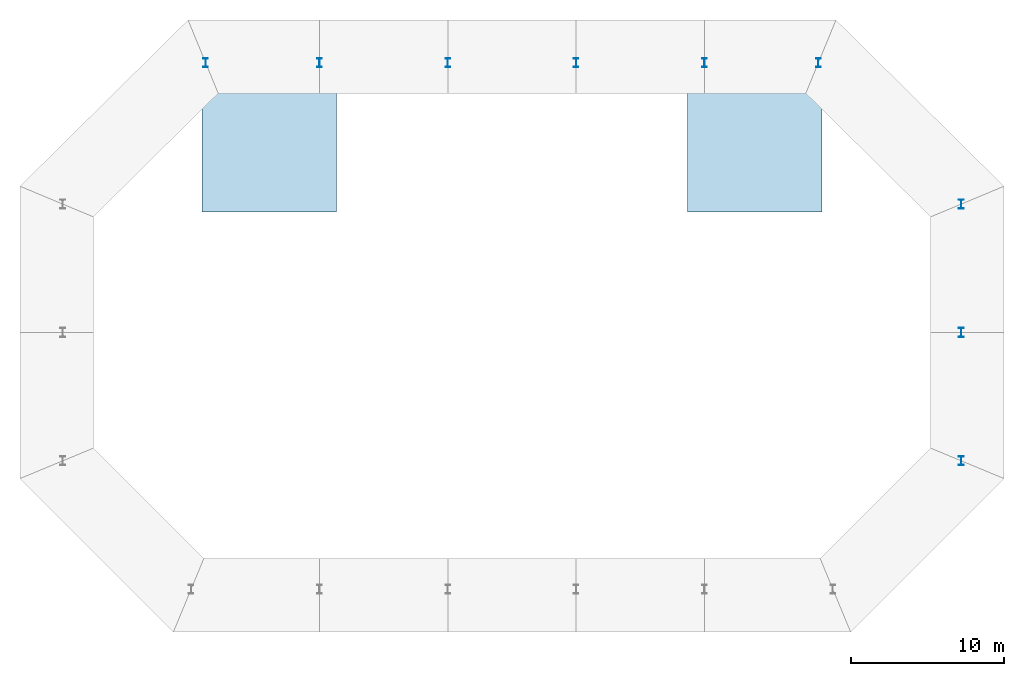
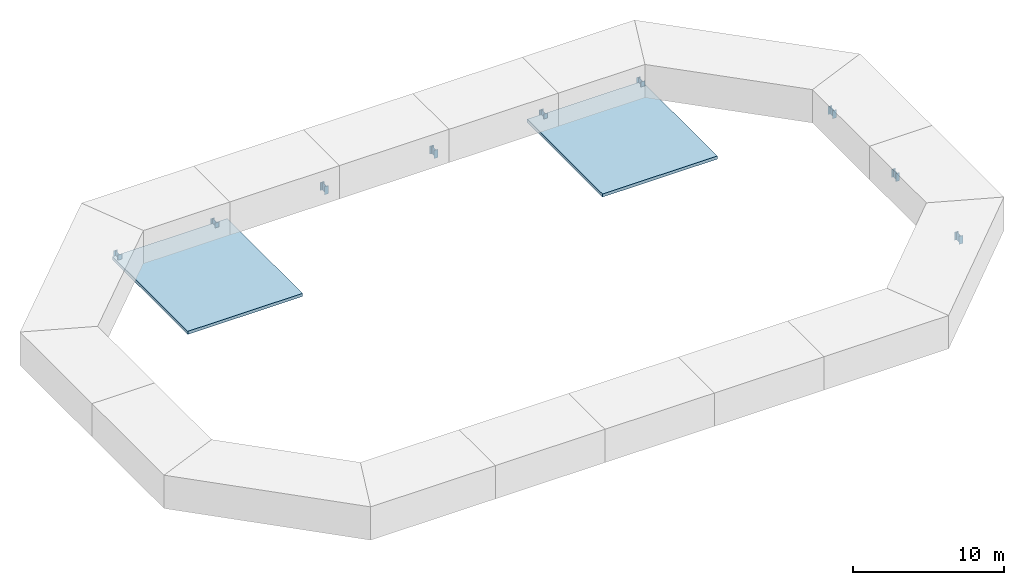
# One storey, part 2 of 3: 9 columns, 2 slabs.
"""IFC4 building model written with IfcOpenShell, lengths in metres."""

from ifc_helpers import new_model, si_unit, direction, frame, origin, origin_2d, place, context, subcontext, project, spatial, polyline, i_section, outline, extrude, material, layer, layer_set, material_profile, profile_set, type_object, element, save


model = new_model("IFC4")

# Units and contexts
model_context = context("Model", 3, precision=1e-05, world=origin(), true_north=direction((0.0, 1.0)))
body_context = subcontext(model_context, "Body", "Model", "MODEL_VIEW")
ifc_project = project(units=[si_unit("LENGTHUNIT", "METRE"), si_unit("AREAUNIT", "SQUARE_METRE"), si_unit("VOLUMEUNIT", "CUBIC_METRE"), si_unit("PLANEANGLEUNIT", "RADIAN"), si_unit("MASSUNIT", "GRAM", prefix="KILO")], contexts=[model_context])

# Site, building, storey
site_placement = place(None, origin())
site = spatial("IfcSite", under=ifc_project, at=site_placement, CompositionType="ELEMENT")
building_placement = place(site_placement, origin())
building = spatial("IfcBuilding", under=site, at=building_placement, Name="Saffron Gate Tower", CompositionType="ELEMENT")
storey_placement = place(building_placement, frame((0.0, 0.0, 322.85009765625)))
storey = spatial("IfcBuildingStorey", under=building, at=storey_placement, Name="Roof", CompositionType="ELEMENT", Elevation=322.85009765625)

# Columns
ifc_material_1 = material(Name="Structural steel S355", Category="steel")
ifc_material_profile = material_profile(ifc_material_1, i_section(OverallWidth=0.300048828125, OverallDepth=0.60009765625, WebThickness=0.015380859375, FlangeThickness=0.030029296875, FilletRadius=0.027099609375, at=origin_2d()))
ifc_profile_set = profile_set([ifc_material_profile], Name="Structural steel S355")
column_type = type_object("IfcColumnType", Name="CF3 HEB 600", PredefinedType="COLUMN", material=ifc_profile_set)
for number, where, z_axis, x_axis, name in (
    (1, (117.0, 48.60009765625, 0.0), (0.0, 0.0, 1.0), (1.0, 0.0, 0.0), "CF3 CROWN FRAME POST"),
    (2, (117.0, 57.0, 0.0), (0.0, 0.0, 1.0), (1.0, 0.0, 0.0), "CF3 CROWN FRAME POST"),
    (3, (117.0, 65.39990234375, 0.0), (0.0, 0.0, 1.0), (1.0, 0.0, 0.0), "CF3 CROWN FRAME POST"),
    (4, (107.64990234375, 74.64990234375, 0.0), (0.0, 0.0, 1.0), (1.0, 0.0, 0.0), "CF3 CROWN FRAME POST"),
    (5, (100.199951171875, 74.64990234375, 0.0), (0.0, 0.0, 1.0), (1.0, 0.0, 0.0), "CF3 CROWN FRAME POST"),
    (6, (91.800048828125, 74.64990234375, 0.0), (0.0, 0.0, 1.0), (1.0, 0.0, 0.0), "CF3 CROWN FRAME POST"),
    (7, (83.39990234375, 74.64990234375, 0.0), (0.0, 0.0, 1.0), (1.0, 0.0, 0.0), "CF3 CROWN FRAME POST"),
    (8, (75.0, 74.64990234375, 0.0), (0.0, 0.0, 1.0), (1.0, 0.0, 0.0), "CF3 CROWN FRAME POST"),
    (9, (67.550048828125, 74.64990234375, 0.0), (0.0, 0.0, 1.0), (1.0, 0.0, 0.0), "CF3 CROWN FRAME POST"),
):
    element("IfcColumn", number, at=place(storey_placement, frame(where, z_axis=z_axis, x_axis=x_axis)), inside=storey, type_object=column_type, Name=name, PredefinedType="COLUMN", context=body_context, shape_type="SweptSolid", body=[
        extrude(i_section(OverallWidth=0.300048828125, OverallDepth=0.60009765625, WebThickness=0.015380859375, FlangeThickness=0.030029296875, FilletRadius=0.027099609375, at=origin_2d()), origin(), (0.0, 0.0, 1.0), 0.64990234375),
    ])

# Slabs
ifc_material_2 = material(Name="Concrete C50", Category="concrete")
ifc_layer = layer(ifc_material_2, 0.25)
ifc_layer_set = layer_set([ifc_layer], Name="CS1 Head-house roof slab 250")
slab_type = type_object("IfcSlabType", Name="CS1 Head-house roof slab 250", PredefinedType="ROOF", material=ifc_layer_set)
slab_1_placement = place(storey_placement, origin())
element("IfcSlab", 10, at=slab_1_placement, inside=storey, type_object=slab_type, Name="Head-house roof slab west", PredefinedType="ROOF", context=body_context, shape_type="SweptSolid", body=[
    extrude(outline(polyline([(76.10009765625, 64.89990234375), (76.10009765625, 74.89990234375), (67.300048828125, 74.89990234375), (67.300048828125, 64.89990234375), (76.10009765625, 64.89990234375)])), origin(), (0.0, 0.0, 1.0), 0.25),
])
slab_2_placement = place(storey_placement, origin())
element("IfcSlab", 11, at=slab_2_placement, inside=storey, type_object=slab_type, Name="Head-house roof slab east", PredefinedType="ROOF", context=body_context, shape_type="SweptSolid", body=[
    extrude(outline(polyline([(107.89990234375, 64.89990234375), (107.89990234375, 74.89990234375), (99.10009765625, 74.89990234375), (99.10009765625, 64.89990234375), (107.89990234375, 64.89990234375)])), origin(), (0.0, 0.0, 1.0), 0.25),
])

save(model, "model.ifc")
